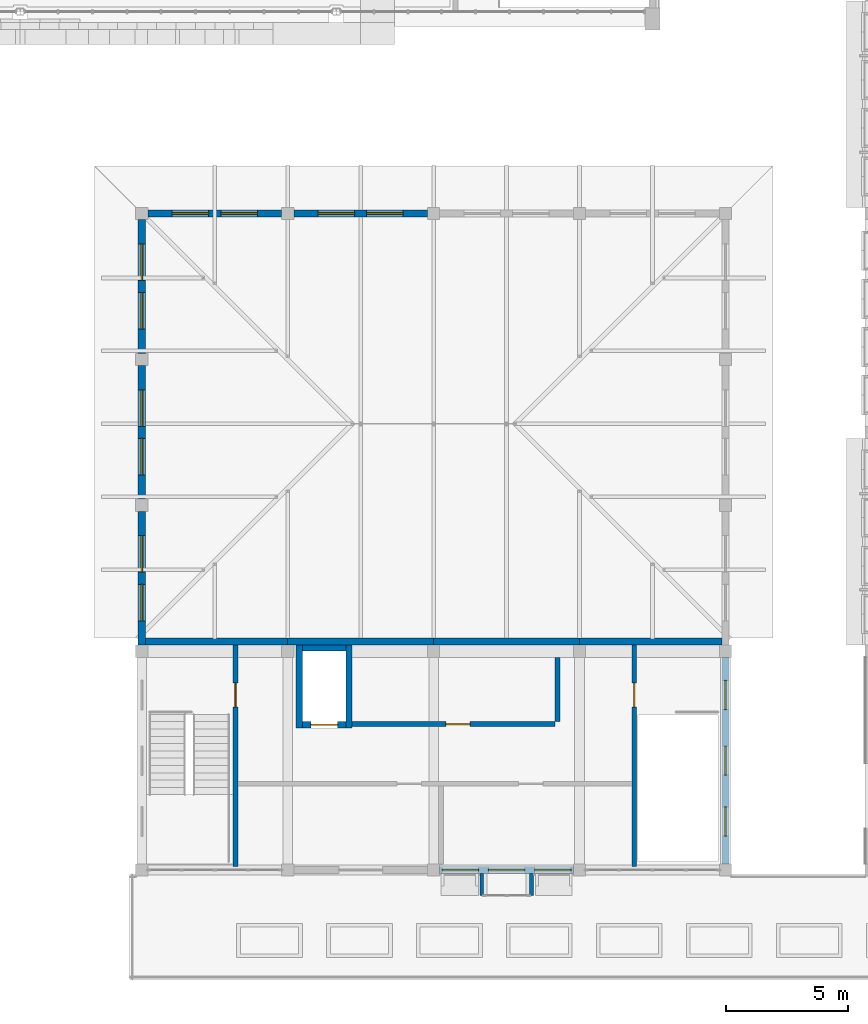
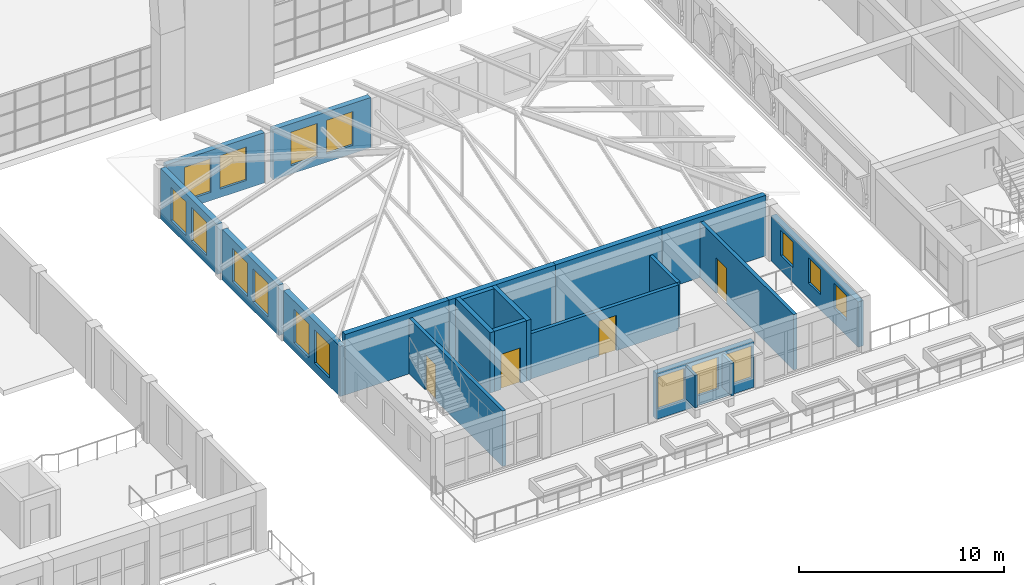
# One storey, part 43 of 82: 21 walls, 16 windows, 4 doors, 20 openings.
"""IFC4 building model written with IfcOpenShell, lengths in metres."""

from ifc_helpers import new_model, si_unit, direction, frame, frame_2d, origin, place, context, subcontext, project, spatial, rectangle, extrude, material, layer, layer_set, type_object, element, fill, save


model = new_model("IFC4")

# Units and contexts
model_context = context("Model", 3, precision=1e-05, world=origin(), true_north=direction((0.0, 1.0)))
body_context = subcontext(model_context, "Body", "Model", "MODEL_VIEW")
ifc_project = project(units=[si_unit("LENGTHUNIT", "METRE"), si_unit("AREAUNIT", "SQUARE_METRE"), si_unit("VOLUMEUNIT", "CUBIC_METRE"), si_unit("PLANEANGLEUNIT", "RADIAN"), si_unit("MASSUNIT", "GRAM", prefix="KILO")], contexts=[model_context])

# Site, building, storey
site_placement = place(None, origin())
site = spatial("IfcSite", under=ifc_project, at=site_placement, CompositionType="ELEMENT")
building_placement = place(site_placement, origin())
building = spatial("IfcBuilding", under=site, at=building_placement, Name="Elbe Cascade School", CompositionType="ELEMENT")
storey_placement = place(building_placement, frame((0.0, 0.0, 4.5)))
storey = spatial("IfcBuildingStorey", under=building, at=storey_placement, Name="L01", CompositionType="ELEMENT", Elevation=4.5)

# Walls
ifc_material_1 = material(Name="Sandstone - red", Category="masonry")
ifc_layer_1 = layer(ifc_material_1, 0.14990234375)
ifc_layer_set_1 = layer_set([ifc_layer_1], Name="Sandstone - red")
wall_type_1 = type_object("IfcWallType", Name="Cafe jharokha cheek wall 150", PredefinedType="SOLIDWALL", material=ifc_layer_set_1)
for number, where, z_axis, x_axis, name in (
    (1, (52.97509765625, 4.949951171875, 0.64990234375), (0.0, 0.0, 1.0), (0.0, 1.0, 0.0), "Cafe jharokha cheek wall 150 W33"),
    (2, (55.02490234375, 4.949951171875, 0.64990234375), (0.0, 0.0, 1.0), (0.0, 1.0, 0.0), "Cafe jharokha cheek wall 150 W33"),
):
    element("IfcWall", number, at=place(storey_placement, frame(where, z_axis=z_axis, x_axis=x_axis)), inside=storey, type_object=wall_type_1, Name=name, PredefinedType="SOLIDWALL", context=body_context, shape_type="SweptSolid", body=[
        extrude(rectangle(XDim=0.900146484375, YDim=0.14990234375, at=frame_2d((0.4501953125, 0.0))), origin(), (0.0, 0.0, 1.0), 1.9501953125),
    ])
ifc_material_2 = material(Name="Concrete C30/37", Category="concrete")
ifc_layer_2 = layer(ifc_material_2, 0.25)
ifc_layer_set_2 = layer_set([ifc_layer_2], Name="Concrete C30/37")
wall_type_2 = type_object("IfcWallType", Name="Cafe lift shaft wall 250", PredefinedType="SHEAR", material=ifc_layer_set_2)
for number, where, z_axis, x_axis, name in (
    (3, (45.47509765625, 11.85009765625, 0.0), (0.0, 0.0, 1.0), (0.0, 1.0, 0.0), "Cafe lift shaft wall 250 W13"),
    (4, (47.52490234375, 11.85009765625, 0.0), (0.0, 0.0, 1.0), (0.0, 1.0, 0.0), "Cafe lift shaft wall 250 W13"),
):
    element("IfcWall", number, at=place(storey_placement, frame(where, z_axis=z_axis, x_axis=x_axis)), inside=storey, type_object=wall_type_2, Name=name, PredefinedType="SHEAR", context=body_context, shape_type="SweptSolid", body=[
        extrude(rectangle(XDim=3.39990234375, YDim=0.25, at=frame_2d((1.699951171875, 0.0))), origin(), (0.0, 0.0, 1.0), 3.60009765625),
    ])

# Wall, opening, door
wall_1_placement = place(storey_placement, frame((45.60009765625, 11.97509765625, 0.0), z_axis=(0.0, 0.0, 1.0), x_axis=(1.0, 0.0, 0.0)))
wall_1 = element("IfcWall", 5, at=wall_1_placement, inside=storey, type_object=wall_type_2, Name="Cafe lift shaft wall 250 W13", PredefinedType="SHEAR", context=body_context, shape_type="SweptSolid", body=[
    extrude(rectangle(XDim=1.7998046875, YDim=0.25, at=frame_2d((0.89990234375, 0.0))), origin(), (0.0, 0.0, 1.0), 3.60009765625),
])
opening_1_placement = place(wall_1_placement, frame((0.35009765625, 0.0, 0.0)))
opening_1 = element("IfcOpeningElement", 6, at=opening_1_placement, cuts=wall_1, Name="Opening D1.118", PredefinedType="OPENING", context=body_context, shape_type="SweptSolid", body=[
    extrude(rectangle(XDim=1.10009765625, YDim=2.10009765625, at=frame_2d((0.550048828125, 1.050048828125))), frame((0.0, 0.135009765625, 0.0), z_axis=(0.0, -1.0, 0.0), x_axis=(1.0, 0.0, 0.0)), (0.0, 0.0, 1.0), 0.27001953125),
])
ifc_material_3 = material(Name="Steel - fire door leaf", Category="steel")
door_type_1 = type_object("IfcDoorType", Name="Cafe lift landing door 1100x2100 slide FD60", OperationType="SLIDING_TO_LEFT", PredefinedType="NOTDEFINED", material=ifc_material_3)
door_1_placement = place(opening_1_placement, origin())
door_1 = element("IfcDoor", 7, at=door_1_placement, inside=storey, type_object=door_type_1, Name="Cafe lift landing door 1100x2100 slide FD60 D1.118", OperationType="SLIDING_TO_LEFT", OverallHeight=2.10009765625, OverallWidth=1.10009765625, PredefinedType="NOTDEFINED", context=body_context, shape_type="SweptSolid", body=[
    extrude(rectangle(XDim=1.10009765625, YDim=2.10009765625, at=frame_2d((0.550048828125, 1.050048828125))), frame((0.0, 0.02490234375, 0.0), z_axis=(0.0, -1.0, 0.0), x_axis=(1.0, 0.0, 0.0)), (0.0, 0.0, 1.0), 0.050048828125),
])
fill(opening_1, door_1)

# Wall
wall_2_placement = place(storey_placement, frame((45.60009765625, 15.125, 0.0), z_axis=(0.0, 0.0, 1.0), x_axis=(1.0, 0.0, 0.0)))
element("IfcWall", 8, at=wall_2_placement, inside=storey, type_object=wall_type_2, Name="Cafe lift shaft wall 250 W13", PredefinedType="SHEAR", context=body_context, shape_type="SweptSolid", body=[
    extrude(rectangle(XDim=1.7998046875, YDim=0.25, at=frame_2d((0.89990234375, 0.0))), origin(), (0.0, 0.0, 1.0), 3.60009765625),
])

# Wall, opening, door
ifc_material_4 = material(Name="Masonry - rendered blockwork", Category="masonry")
ifc_layer_3 = layer(ifc_material_4, 0.199951171875)
ifc_layer_set_3 = layer_set([ifc_layer_3], Name="Masonry - rendered blockwork")
wall_type_3 = type_object("IfcWallType", Name="Cafe partition wall 200", PredefinedType="PARTITIONING", material=ifc_layer_set_3)
wall_3_placement = place(storey_placement, frame((47.64990234375, 12.0, 0.0), z_axis=(0.0, 0.0, 1.0), x_axis=(1.0, 0.0, 0.0)))
wall_3 = element("IfcWall", 9, at=wall_3_placement, inside=storey, type_object=wall_type_3, Name="Cafe partition wall 200 W40", PredefinedType="PARTITIONING", context=body_context, shape_type="SweptSolid", body=[
    extrude(rectangle(XDim=8.35009765625, YDim=0.199951171875, at=frame_2d((4.175048828125, 0.0))), origin(), (0.0, 0.0, 1.0), 2.699951171875),
])
opening_2_placement = place(wall_3_placement, frame((3.85009765625, 0.0, 0.0)))
opening_2 = element("IfcOpeningElement", 10, at=opening_2_placement, cuts=wall_3, Name="Opening D1.119", PredefinedType="OPENING", context=body_context, shape_type="SweptSolid", body=[
    extrude(rectangle(XDim=1.0, YDim=2.10009765625, at=frame_2d((0.5, 1.050048828125))), frame((0.0, 0.10986328125, 0.0), z_axis=(0.0, -1.0, 0.0), x_axis=(1.0, 0.0, 0.0)), (0.0, 0.0, 1.0), 0.219970703125),
])
ifc_material_5 = material(Name="Timber - oak door leaf", Category="wood")
door_type_2 = type_object("IfcDoorType", Name="Cafe community room door 1000x2100 swing NOT RATED", OperationType="NOTDEFINED", PredefinedType="NOTDEFINED", material=ifc_material_5)
door_2_placement = place(opening_2_placement, origin())
door_2 = element("IfcDoor", 11, at=door_2_placement, inside=storey, type_object=door_type_2, Name="Cafe community room door 1000x2100 swing NOT RATED D1.119", OperationType="SINGLE_SWING_LEFT", OverallHeight=2.10009765625, OverallWidth=1.0, PredefinedType="NOTDEFINED", context=body_context, shape_type="SweptSolid", body=[
    extrude(rectangle(XDim=1.0, YDim=2.10009765625, at=frame_2d((0.5, 1.050048828125))), frame((0.0, 0.02490234375, 0.0), z_axis=(0.0, -1.0, 0.0), x_axis=(1.0, 0.0, 0.0)), (0.0, 0.0, 1.0), 0.050048828125),
])
fill(opening_2, door_2)

# Wall
wall_4_placement = place(storey_placement, frame((56.10009765625, 12.10009765625, 0.0), z_axis=(0.0, 0.0, 1.0), x_axis=(0.0, 1.0, 0.0)))
element("IfcWall", 12, at=wall_4_placement, inside=storey, type_object=wall_type_3, Name="Cafe partition wall 200 W40", PredefinedType="PARTITIONING", context=body_context, shape_type="SweptSolid", body=[
    extrude(rectangle(XDim=2.64990234375, YDim=0.199951171875, at=frame_2d((1.324951171875, 0.0))), origin(), (0.0, 0.0, 1.0), 2.699951171875),
])

# Wall, opening, door
ifc_material_6 = material(Name="Concrete C30/37", Category="concrete")
ifc_layer_4 = layer(ifc_material_6, 0.199951171875)
ifc_layer_set_4 = layer_set([ifc_layer_4], Name="Concrete C30/37")
wall_type_4 = type_object("IfcWallType", Name="Cafe stair enclosure wall 200", PredefinedType="SOLIDWALL", material=ifc_layer_set_4)
wall_5_placement = place(storey_placement, frame((42.85009765625, 6.14990234375, 0.0), z_axis=(0.0, 0.0, 1.0), x_axis=(0.0, 1.0, 0.0)))
wall_5 = element("IfcWall", 13, at=wall_5_placement, inside=storey, type_object=wall_type_4, Name="Cafe stair enclosure wall 200 W39", PredefinedType="SOLIDWALL", context=body_context, shape_type="SweptSolid", body=[
    extrude(rectangle(XDim=9.10009765625, YDim=0.199951171875, at=frame_2d((4.550048828125, 0.0))), origin(), (0.0, 0.0, 1.0), 3.300048828125),
])
opening_3_placement = place(wall_5_placement, frame((6.550048828125, 0.0, 0.0)))
opening_3 = element("IfcOpeningElement", 14, at=opening_3_placement, cuts=wall_5, Name="Opening D1.120", PredefinedType="OPENING", context=body_context, shape_type="SweptSolid", body=[
    extrude(rectangle(XDim=1.0, YDim=2.10009765625, at=frame_2d((0.5, 1.050048828125))), frame((0.0, 0.10986328125, 0.0), z_axis=(0.0, -1.0, 0.0), x_axis=(1.0, 0.0, 0.0)), (0.0, 0.0, 1.0), 0.219970703125),
])
ifc_material_7 = material(Name="Steel - fire door leaf", Category="steel")
door_type_3 = type_object("IfcDoorType", Name="Cafe stair door 1000x2100 swing FD30S", OperationType="NOTDEFINED", PredefinedType="NOTDEFINED", material=ifc_material_7)
door_3_placement = place(opening_3_placement, origin())
door_3 = element("IfcDoor", 15, at=door_3_placement, inside=storey, type_object=door_type_3, Name="Cafe stair door 1000x2100 swing FD30S D1.120", OperationType="SINGLE_SWING_RIGHT", OverallHeight=2.10009765625, OverallWidth=1.0, PredefinedType="NOTDEFINED", context=body_context, shape_type="SweptSolid", body=[
    extrude(rectangle(XDim=1.0, YDim=2.10009765625, at=frame_2d((0.5, 1.050048828125))), frame((0.0, 0.02490234375, 0.0), z_axis=(0.0, -1.0, 0.0), x_axis=(1.0, 0.0, 0.0)), (0.0, 0.0, 1.0), 0.050048828125),
])
fill(opening_3, door_3)

wall_6_placement = place(storey_placement, frame((59.25, 6.14990234375, 0.0), z_axis=(0.0, 0.0, 1.0), x_axis=(0.0, 1.0, 0.0)))
wall_6 = element("IfcWall", 16, at=wall_6_placement, inside=storey, type_object=wall_type_4, Name="Cafe stair enclosure wall 200 W39", PredefinedType="SOLIDWALL", context=body_context, shape_type="SweptSolid", body=[
    extrude(rectangle(XDim=9.10009765625, YDim=0.199951171875, at=frame_2d((4.550048828125, 0.0))), origin(), (0.0, 0.0, 1.0), 3.300048828125),
])
opening_4_placement = place(wall_6_placement, frame((6.550048828125, 0.0, 0.0)))
opening_4 = element("IfcOpeningElement", 17, at=opening_4_placement, cuts=wall_6, Name="Opening D1.121", PredefinedType="OPENING", context=body_context, shape_type="SweptSolid", body=[
    extrude(rectangle(XDim=1.0, YDim=2.10009765625, at=frame_2d((0.5, 1.050048828125))), frame((0.0, 0.10986328125, 0.0), z_axis=(0.0, -1.0, 0.0), x_axis=(1.0, 0.0, 0.0)), (0.0, 0.0, 1.0), 0.219970703125),
])
door_4_placement = place(opening_4_placement, origin())
door_4 = element("IfcDoor", 18, at=door_4_placement, inside=storey, type_object=door_type_3, Name="Cafe stair door 1000x2100 swing FD30S D1.121", OperationType="SINGLE_SWING_LEFT", OverallHeight=2.10009765625, OverallWidth=1.0, PredefinedType="NOTDEFINED", context=body_context, shape_type="SweptSolid", body=[
    extrude(rectangle(XDim=1.0, YDim=2.10009765625, at=frame_2d((0.5, 1.050048828125))), frame((0.0, 0.02490234375, 0.0), z_axis=(0.0, -1.0, 0.0), x_axis=(1.0, 0.0, 0.0)), (0.0, 0.0, 1.0), 0.050048828125),
])
fill(opening_4, door_4)

# Wall, openings, windows
ifc_material_8 = material(Name="Concrete C30/37", Category="concrete")
ifc_layer_5 = layer(ifc_material_8, 0.300048828125)
ifc_layer_set_5 = layer_set([ifc_layer_5], Name="Concrete C30/37")
wall_type_5 = type_object("IfcWallType", Name="Cafe wing RC wall 300", PredefinedType="SOLIDWALL", material=ifc_layer_set_5)
wall_7_placement = place(storey_placement, frame((56.75, 6.0, 0.0), z_axis=(0.0, 0.0, 1.0), x_axis=(-1.0, 0.0, 0.0)))
wall_7 = element("IfcWall", 19, at=wall_7_placement, inside=storey, type_object=wall_type_5, Name="Cafe wing RC wall 300 W10", PredefinedType="SOLIDWALL", context=body_context, shape_type="SweptSolid", body=[
    extrude(rectangle(XDim=5.5, YDim=0.300048828125, at=frame_2d((2.75, 0.0))), origin(), (0.0, 0.0, 1.0), 2.75),
])
opening_5_placement = place(wall_7_placement, frame((3.89990234375, 0.0, 0.60009765625)))
opening_5 = element("IfcOpeningElement", 20, at=opening_5_placement, cuts=wall_7, Name="Opening W1.153", PredefinedType="OPENING", context=body_context, shape_type="SweptSolid", body=[
    extrude(rectangle(XDim=1.5, YDim=1.89990234375, at=frame_2d((0.75, 0.949951171875))), frame((0.0, 0.159912109375, 0.0), z_axis=(0.0, -1.0, 0.0), x_axis=(1.0, 0.0, 0.0)), (0.0, 0.0, 1.0), 0.320068359375),
])
opening_6_placement = place(wall_7_placement, frame((2.0, 0.0, 0.60009765625)))
opening_6 = element("IfcOpeningElement", 21, at=opening_6_placement, cuts=wall_7, Name="Opening W1.154", PredefinedType="OPENING", context=body_context, shape_type="SweptSolid", body=[
    extrude(rectangle(XDim=1.5, YDim=1.89990234375, at=frame_2d((0.75, 0.949951171875))), frame((0.0, 0.159912109375, 0.0), z_axis=(0.0, -1.0, 0.0), x_axis=(1.0, 0.0, 0.0)), (0.0, 0.0, 1.0), 0.320068359375),
])
opening_7_placement = place(wall_7_placement, frame((0.10009765625, 0.0, 0.60009765625)))
opening_7 = element("IfcOpeningElement", 22, at=opening_7_placement, cuts=wall_7, Name="Opening W1.155", PredefinedType="OPENING", context=body_context, shape_type="SweptSolid", body=[
    extrude(rectangle(XDim=1.5, YDim=1.89990234375, at=frame_2d((0.75, 0.949951171875))), frame((0.0, 0.159912109375, 0.0), z_axis=(0.0, -1.0, 0.0), x_axis=(1.0, 0.0, 0.0)), (0.0, 0.0, 1.0), 0.320068359375),
])
ifc_material_9 = material(Name="Aluminium - bronze anodised", Category="aluminium")
window_type_1 = type_object("IfcWindowType", Name="Cafe community room window 1500x1900 sill 600", PartitioningType="SINGLE_PANEL", PredefinedType="WINDOW", material=ifc_material_9)
window_1_placement = place(opening_5_placement, origin())
window_1 = element("IfcWindow", 23, at=window_1_placement, inside=storey, type_object=window_type_1, Name="Cafe community room window 1500x1900 sill 600 W1.153", OverallHeight=1.89990234375, OverallWidth=1.5, PartitioningType="SINGLE_PANEL", PredefinedType="WINDOW", context=body_context, shape_type="SweptSolid", body=[
    extrude(rectangle(XDim=1.5, YDim=1.89990234375, at=frame_2d((0.75, 0.949951171875))), frame((0.0, 0.030029296875, 0.0), z_axis=(0.0, -1.0, 0.0), x_axis=(1.0, 0.0, 0.0)), (0.0, 0.0, 1.0), 0.06005859375),
])
fill(opening_5, window_1)
window_2_placement = place(opening_6_placement, origin())
window_2 = element("IfcWindow", 24, at=window_2_placement, inside=storey, type_object=window_type_1, Name="Cafe community room window 1500x1900 sill 600 W1.154", OverallHeight=1.89990234375, OverallWidth=1.5, PartitioningType="SINGLE_PANEL", PredefinedType="WINDOW", context=body_context, shape_type="SweptSolid", body=[
    extrude(rectangle(XDim=1.5, YDim=1.89990234375, at=frame_2d((0.75, 0.949951171875))), frame((0.0, 0.030029296875, 0.0), z_axis=(0.0, -1.0, 0.0), x_axis=(1.0, 0.0, 0.0)), (0.0, 0.0, 1.0), 0.06005859375),
])
fill(opening_6, window_2)
window_3_placement = place(opening_7_placement, origin())
window_3 = element("IfcWindow", 25, at=window_3_placement, inside=storey, type_object=window_type_1, Name="Cafe community room window 1500x1900 sill 600 W1.155", OverallHeight=1.89990234375, OverallWidth=1.5, PartitioningType="SINGLE_PANEL", PredefinedType="WINDOW", context=body_context, shape_type="SweptSolid", body=[
    extrude(rectangle(XDim=1.5, YDim=1.89990234375, at=frame_2d((0.75, 0.949951171875))), frame((0.0, 0.030029296875, 0.0), z_axis=(0.0, -1.0, 0.0), x_axis=(1.0, 0.0, 0.0)), (0.0, 0.0, 1.0), 0.06005859375),
])
fill(opening_7, window_3)

wall_8_placement = place(storey_placement, frame((63.0, 14.75, 0.0), z_axis=(0.0, 0.0, 1.0), x_axis=(0.0, -1.0, 0.0)))
wall_8 = element("IfcWall", 26, at=wall_8_placement, inside=storey, type_object=wall_type_5, Name="Cafe wing RC wall 300 W10", PredefinedType="SOLIDWALL", context=body_context, shape_type="SweptSolid", body=[
    extrude(rectangle(XDim=8.5, YDim=0.300048828125, at=frame_2d((4.25, 0.0))), origin(), (0.0, 0.0, 1.0), 2.699951171875),
])
opening_8_placement = place(wall_8_placement, frame((6.14990234375, 0.0, 0.89990234375)))
opening_8 = element("IfcOpeningElement", 27, at=opening_8_placement, cuts=wall_8, Name="Opening W1.157", PredefinedType="OPENING", context=body_context, shape_type="SweptSolid", body=[
    extrude(rectangle(XDim=1.199951171875, YDim=1.5, at=frame_2d((0.60009765625, 0.75))), frame((0.0, 0.159912109375, 0.0), z_axis=(0.0, -1.0, 0.0), x_axis=(1.0, 0.0, 0.0)), (0.0, 0.0, 1.0), 0.320068359375),
])
opening_9_placement = place(wall_8_placement, frame((3.64990234375, 0.0, 0.89990234375)))
opening_9 = element("IfcOpeningElement", 28, at=opening_9_placement, cuts=wall_8, Name="Opening W1.159", PredefinedType="OPENING", context=body_context, shape_type="SweptSolid", body=[
    extrude(rectangle(XDim=1.199951171875, YDim=1.5, at=frame_2d((0.60009765625, 0.75))), frame((0.0, 0.159912109375, 0.0), z_axis=(0.0, -1.0, 0.0), x_axis=(1.0, 0.0, 0.0)), (0.0, 0.0, 1.0), 0.320068359375),
])
opening_10_placement = place(wall_8_placement, frame((0.949951171875, 0.0, 0.89990234375)))
opening_10 = element("IfcOpeningElement", 29, at=opening_10_placement, cuts=wall_8, Name="Opening W1.161", PredefinedType="OPENING", context=body_context, shape_type="SweptSolid", body=[
    extrude(rectangle(XDim=1.199951171875, YDim=1.5, at=frame_2d((0.60009765625, 0.75))), frame((0.0, 0.159912109375, 0.0), z_axis=(0.0, -1.0, 0.0), x_axis=(1.0, 0.0, 0.0)), (0.0, 0.0, 1.0), 0.320068359375),
])
ifc_material_10 = material(Name="Aluminium - bronze anodised", Category="aluminium")
window_type_2 = type_object("IfcWindowType", Name="Cafe wing small window 1200x1500 sill 900", PartitioningType="SINGLE_PANEL", PredefinedType="WINDOW", material=ifc_material_10)
window_4_placement = place(opening_8_placement, origin())
window_4 = element("IfcWindow", 30, at=window_4_placement, inside=storey, type_object=window_type_2, Name="Cafe wing small window 1200x1500 sill 900 W1.157", OverallHeight=1.5, OverallWidth=1.199951171875, PartitioningType="SINGLE_PANEL", PredefinedType="WINDOW", context=body_context, shape_type="SweptSolid", body=[
    extrude(rectangle(XDim=1.199951171875, YDim=1.5, at=frame_2d((0.60009765625, 0.75))), frame((0.0, 0.030029296875, 0.0), z_axis=(0.0, -1.0, 0.0), x_axis=(1.0, 0.0, 0.0)), (0.0, 0.0, 1.0), 0.06005859375),
])
fill(opening_8, window_4)
window_5_placement = place(opening_9_placement, origin())
window_5 = element("IfcWindow", 31, at=window_5_placement, inside=storey, type_object=window_type_2, Name="Cafe wing small window 1200x1500 sill 900 W1.159", OverallHeight=1.5, OverallWidth=1.199951171875, PartitioningType="SINGLE_PANEL", PredefinedType="WINDOW", context=body_context, shape_type="SweptSolid", body=[
    extrude(rectangle(XDim=1.199951171875, YDim=1.5, at=frame_2d((0.60009765625, 0.75))), frame((0.0, 0.030029296875, 0.0), z_axis=(0.0, -1.0, 0.0), x_axis=(1.0, 0.0, 0.0)), (0.0, 0.0, 1.0), 0.06005859375),
])
fill(opening_9, window_5)
window_6_placement = place(opening_10_placement, origin())
window_6 = element("IfcWindow", 32, at=window_6_placement, inside=storey, type_object=window_type_2, Name="Cafe wing small window 1200x1500 sill 900 W1.161", OverallHeight=1.5, OverallWidth=1.199951171875, PartitioningType="SINGLE_PANEL", PredefinedType="WINDOW", context=body_context, shape_type="SweptSolid", body=[
    extrude(rectangle(XDim=1.199951171875, YDim=1.5, at=frame_2d((0.60009765625, 0.75))), frame((0.0, 0.030029296875, 0.0), z_axis=(0.0, -1.0, 0.0), x_axis=(1.0, 0.0, 0.0)), (0.0, 0.0, 1.0), 0.06005859375),
])
fill(opening_10, window_6)

# Walls
ifc_material_11 = material(Name="Concrete C30/37", Category="concrete")
ifc_layer_6 = layer(ifc_material_11, 0.300048828125)
ifc_layer_set_6 = layer_set([ifc_layer_6], Name="Concrete C30/37")
wall_type_6 = type_object("IfcWallType", Name="Dining hall RC wall 300", PredefinedType="SOLIDWALL", material=ifc_layer_set_6)
wall_9_placement = place(storey_placement, frame((45.0, 15.39990234375, 0.0), z_axis=(0.0, 0.0, 1.0), x_axis=(-1.0, 0.0, 0.0)))
element("IfcWall", 33, at=wall_9_placement, inside=storey, type_object=wall_type_6, Name="Dining hall RC wall 300 W11", PredefinedType="SOLIDWALL", context=body_context, shape_type="SweptSolid", body=[
    extrude(rectangle(XDim=5.85009765625, YDim=0.300048828125, at=frame_2d((2.925048828125, 0.0))), origin(), (0.0, 0.0, 1.0), 3.60009765625),
])
for number, where, z_axis, x_axis, name in (
    (34, (51.0, 15.39990234375, 0.0), (0.0, 0.0, 1.0), (-1.0, 0.0, 0.0), "Dining hall RC wall 300 W11"),
    (35, (57.0, 15.39990234375, 0.0), (0.0, 0.0, 1.0), (-1.0, 0.0, 0.0), "Dining hall RC wall 300 W11"),
):
    element("IfcWall", number, at=place(storey_placement, frame(where, z_axis=z_axis, x_axis=x_axis)), inside=storey, type_object=wall_type_6, Name=name, PredefinedType="SOLIDWALL", context=body_context, shape_type="SweptSolid", body=[
        extrude(rectangle(XDim=6.0, YDim=0.300048828125, at=frame_2d((3.0, 0.0))), origin(), (0.0, 0.0, 1.0), 3.60009765625),
    ])
wall_10_placement = place(storey_placement, frame((62.85009765625, 15.39990234375, 0.0), z_axis=(0.0, 0.0, 1.0), x_axis=(-1.0, 0.0, 0.0)))
element("IfcWall", 36, at=wall_10_placement, inside=storey, type_object=wall_type_6, Name="Dining hall RC wall 300 W11", PredefinedType="SOLIDWALL", context=body_context, shape_type="SweptSolid", body=[
    extrude(rectangle(XDim=5.85009765625, YDim=0.300048828125, at=frame_2d((2.925048828125, 0.0))), origin(), (0.0, 0.0, 1.0), 3.60009765625),
])

# Wall, openings, windows
wall_11_placement = place(storey_placement, frame((39.0, 15.25, 0.0), z_axis=(0.0, 0.0, 1.0), x_axis=(0.0, 1.0, 0.0)))
wall_11 = element("IfcWall", 37, at=wall_11_placement, inside=storey, type_object=wall_type_6, Name="Dining hall RC wall 300 W11", PredefinedType="SOLIDWALL", context=body_context, shape_type="SweptSolid", body=[
    extrude(rectangle(XDim=5.5, YDim=0.300048828125, at=frame_2d((2.75, 0.0))), origin(), (0.0, 0.0, 1.0), 2.992919921875),
])
opening_11_placement = place(wall_11_placement, frame((1.0, 0.0, 0.5)))
opening_11 = element("IfcOpeningElement", 38, at=opening_11_placement, cuts=wall_11, Name="Opening W1.162", PredefinedType="OPENING", context=body_context, shape_type="SweptSolid", body=[
    extrude(rectangle(XDim=1.5, YDim=2.0, at=frame_2d((0.75, 1.0))), frame((0.0, 0.159912109375, 0.0), z_axis=(0.0, -1.0, 0.0), x_axis=(1.0, 0.0, 0.0)), (0.0, 0.0, 1.0), 0.320068359375),
])
opening_12_placement = place(wall_11_placement, frame((3.0, 0.0, 0.5)))
opening_12 = element("IfcOpeningElement", 39, at=opening_12_placement, cuts=wall_11, Name="Opening W1.164", PredefinedType="OPENING", context=body_context, shape_type="SweptSolid", body=[
    extrude(rectangle(XDim=1.5, YDim=2.0, at=frame_2d((0.75, 1.0))), frame((0.0, 0.159912109375, 0.0), z_axis=(0.0, -1.0, 0.0), x_axis=(1.0, 0.0, 0.0)), (0.0, 0.0, 1.0), 0.320068359375),
])
ifc_material_12 = material(Name="Aluminium - bronze anodised", Category="aluminium")
window_type_3 = type_object("IfcWindowType", Name="Dining hall clerestory window 1500x2000 sill 500", PartitioningType="SINGLE_PANEL", PredefinedType="WINDOW", material=ifc_material_12)
window_7_placement = place(opening_11_placement, origin())
window_7 = element("IfcWindow", 40, at=window_7_placement, inside=storey, type_object=window_type_3, Name="Dining hall clerestory window 1500x2000 sill 500 W1.162", OverallHeight=2.0, OverallWidth=1.5, PartitioningType="SINGLE_PANEL", PredefinedType="WINDOW", context=body_context, shape_type="SweptSolid", body=[
    extrude(rectangle(XDim=1.5, YDim=2.0, at=frame_2d((0.75, 1.0))), frame((0.0, 0.030029296875, 0.0), z_axis=(0.0, -1.0, 0.0), x_axis=(1.0, 0.0, 0.0)), (0.0, 0.0, 1.0), 0.06005859375),
])
fill(opening_11, window_7)
window_8_placement = place(opening_12_placement, origin())
window_8 = element("IfcWindow", 41, at=window_8_placement, inside=storey, type_object=window_type_3, Name="Dining hall clerestory window 1500x2000 sill 500 W1.164", OverallHeight=2.0, OverallWidth=1.5, PartitioningType="SINGLE_PANEL", PredefinedType="WINDOW", context=body_context, shape_type="SweptSolid", body=[
    extrude(rectangle(XDim=1.5, YDim=2.0, at=frame_2d((0.75, 1.0))), frame((0.0, 0.030029296875, 0.0), z_axis=(0.0, -1.0, 0.0), x_axis=(1.0, 0.0, 0.0)), (0.0, 0.0, 1.0), 0.06005859375),
])
fill(opening_12, window_8)

wall_12_placement = place(storey_placement, frame((39.0, 21.25, 0.0), z_axis=(0.0, 0.0, 1.0), x_axis=(0.0, 1.0, 0.0)))
wall_12 = element("IfcWall", 42, at=wall_12_placement, inside=storey, type_object=wall_type_6, Name="Dining hall RC wall 300 W11", PredefinedType="SOLIDWALL", context=body_context, shape_type="SweptSolid", body=[
    extrude(rectangle(XDim=5.5, YDim=0.300048828125, at=frame_2d((2.75, 0.0))), origin(), (0.0, 0.0, 1.0), 2.992919921875),
])
opening_13_placement = place(wall_12_placement, frame((1.0, 0.0, 0.5)))
opening_13 = element("IfcOpeningElement", 43, at=opening_13_placement, cuts=wall_12, Name="Opening W1.166", PredefinedType="OPENING", context=body_context, shape_type="SweptSolid", body=[
    extrude(rectangle(XDim=1.5, YDim=2.0, at=frame_2d((0.75, 1.0))), frame((0.0, 0.159912109375, 0.0), z_axis=(0.0, -1.0, 0.0), x_axis=(1.0, 0.0, 0.0)), (0.0, 0.0, 1.0), 0.320068359375),
])
opening_14_placement = place(wall_12_placement, frame((3.0, 0.0, 0.5)))
opening_14 = element("IfcOpeningElement", 44, at=opening_14_placement, cuts=wall_12, Name="Opening W1.168", PredefinedType="OPENING", context=body_context, shape_type="SweptSolid", body=[
    extrude(rectangle(XDim=1.5, YDim=2.0, at=frame_2d((0.75, 1.0))), frame((0.0, 0.159912109375, 0.0), z_axis=(0.0, -1.0, 0.0), x_axis=(1.0, 0.0, 0.0)), (0.0, 0.0, 1.0), 0.320068359375),
])
window_9_placement = place(opening_13_placement, origin())
window_9 = element("IfcWindow", 45, at=window_9_placement, inside=storey, type_object=window_type_3, Name="Dining hall clerestory window 1500x2000 sill 500 W1.166", OverallHeight=2.0, OverallWidth=1.5, PartitioningType="SINGLE_PANEL", PredefinedType="WINDOW", context=body_context, shape_type="SweptSolid", body=[
    extrude(rectangle(XDim=1.5, YDim=2.0, at=frame_2d((0.75, 1.0))), frame((0.0, 0.030029296875, 0.0), z_axis=(0.0, -1.0, 0.0), x_axis=(1.0, 0.0, 0.0)), (0.0, 0.0, 1.0), 0.06005859375),
])
fill(opening_13, window_9)
window_10_placement = place(opening_14_placement, origin())
window_10 = element("IfcWindow", 46, at=window_10_placement, inside=storey, type_object=window_type_3, Name="Dining hall clerestory window 1500x2000 sill 500 W1.168", OverallHeight=2.0, OverallWidth=1.5, PartitioningType="SINGLE_PANEL", PredefinedType="WINDOW", context=body_context, shape_type="SweptSolid", body=[
    extrude(rectangle(XDim=1.5, YDim=2.0, at=frame_2d((0.75, 1.0))), frame((0.0, 0.030029296875, 0.0), z_axis=(0.0, -1.0, 0.0), x_axis=(1.0, 0.0, 0.0)), (0.0, 0.0, 1.0), 0.06005859375),
])
fill(opening_14, window_10)

wall_13_placement = place(storey_placement, frame((39.0, 27.25, 0.0), z_axis=(0.0, 0.0, 1.0), x_axis=(0.0, 1.0, 0.0)))
wall_13 = element("IfcWall", 47, at=wall_13_placement, inside=storey, type_object=wall_type_6, Name="Dining hall RC wall 300 W11", PredefinedType="SOLIDWALL", context=body_context, shape_type="SweptSolid", body=[
    extrude(rectangle(XDim=5.5, YDim=0.300048828125, at=frame_2d((2.75, 0.0))), origin(), (0.0, 0.0, 1.0), 2.992919921875),
])
opening_15_placement = place(wall_13_placement, frame((1.0, 0.0, 0.5)))
opening_15 = element("IfcOpeningElement", 48, at=opening_15_placement, cuts=wall_13, Name="Opening W1.170", PredefinedType="OPENING", context=body_context, shape_type="SweptSolid", body=[
    extrude(rectangle(XDim=1.5, YDim=2.0, at=frame_2d((0.75, 1.0))), frame((0.0, 0.159912109375, 0.0), z_axis=(0.0, -1.0, 0.0), x_axis=(1.0, 0.0, 0.0)), (0.0, 0.0, 1.0), 0.320068359375),
])
opening_16_placement = place(wall_13_placement, frame((3.0, 0.0, 0.5)))
opening_16 = element("IfcOpeningElement", 49, at=opening_16_placement, cuts=wall_13, Name="Opening W1.172", PredefinedType="OPENING", context=body_context, shape_type="SweptSolid", body=[
    extrude(rectangle(XDim=1.5, YDim=2.0, at=frame_2d((0.75, 1.0))), frame((0.0, 0.159912109375, 0.0), z_axis=(0.0, -1.0, 0.0), x_axis=(1.0, 0.0, 0.0)), (0.0, 0.0, 1.0), 0.320068359375),
])
window_11_placement = place(opening_15_placement, origin())
window_11 = element("IfcWindow", 50, at=window_11_placement, inside=storey, type_object=window_type_3, Name="Dining hall clerestory window 1500x2000 sill 500 W1.170", OverallHeight=2.0, OverallWidth=1.5, PartitioningType="SINGLE_PANEL", PredefinedType="WINDOW", context=body_context, shape_type="SweptSolid", body=[
    extrude(rectangle(XDim=1.5, YDim=2.0, at=frame_2d((0.75, 1.0))), frame((0.0, 0.030029296875, 0.0), z_axis=(0.0, -1.0, 0.0), x_axis=(1.0, 0.0, 0.0)), (0.0, 0.0, 1.0), 0.06005859375),
])
fill(opening_15, window_11)
window_12_placement = place(opening_16_placement, origin())
window_12 = element("IfcWindow", 51, at=window_12_placement, inside=storey, type_object=window_type_3, Name="Dining hall clerestory window 1500x2000 sill 500 W1.172", OverallHeight=2.0, OverallWidth=1.5, PartitioningType="SINGLE_PANEL", PredefinedType="WINDOW", context=body_context, shape_type="SweptSolid", body=[
    extrude(rectangle(XDim=1.5, YDim=2.0, at=frame_2d((0.75, 1.0))), frame((0.0, 0.030029296875, 0.0), z_axis=(0.0, -1.0, 0.0), x_axis=(1.0, 0.0, 0.0)), (0.0, 0.0, 1.0), 0.06005859375),
])
fill(opening_16, window_12)

wall_14_placement = place(storey_placement, frame((39.25, 33.0, 0.0), z_axis=(0.0, 0.0, 1.0), x_axis=(1.0, 0.0, 0.0)))
wall_14 = element("IfcWall", 52, at=wall_14_placement, inside=storey, type_object=wall_type_6, Name="Dining hall RC wall 300 W11", PredefinedType="SOLIDWALL", context=body_context, shape_type="SweptSolid", body=[
    extrude(rectangle(XDim=5.5, YDim=0.300048828125, at=frame_2d((2.75, 0.0))), origin(), (0.0, 0.0, 1.0), 2.992919921875),
])
opening_17_placement = place(wall_14_placement, frame((1.0, 0.0, 0.5)))
opening_17 = element("IfcOpeningElement", 53, at=opening_17_placement, cuts=wall_14, Name="Opening W1.174", PredefinedType="OPENING", context=body_context, shape_type="SweptSolid", body=[
    extrude(rectangle(XDim=1.5, YDim=2.0, at=frame_2d((0.75, 1.0))), frame((0.0, 0.159912109375, 0.0), z_axis=(0.0, -1.0, 0.0), x_axis=(1.0, 0.0, 0.0)), (0.0, 0.0, 1.0), 0.320068359375),
])
opening_18_placement = place(wall_14_placement, frame((3.0, 0.0, 0.5)))
opening_18 = element("IfcOpeningElement", 54, at=opening_18_placement, cuts=wall_14, Name="Opening W1.175", PredefinedType="OPENING", context=body_context, shape_type="SweptSolid", body=[
    extrude(rectangle(XDim=1.5, YDim=2.0, at=frame_2d((0.75, 1.0))), frame((0.0, 0.159912109375, 0.0), z_axis=(0.0, -1.0, 0.0), x_axis=(1.0, 0.0, 0.0)), (0.0, 0.0, 1.0), 0.320068359375),
])
window_13_placement = place(opening_17_placement, origin())
window_13 = element("IfcWindow", 55, at=window_13_placement, inside=storey, type_object=window_type_3, Name="Dining hall clerestory window 1500x2000 sill 500 W1.174", OverallHeight=2.0, OverallWidth=1.5, PartitioningType="SINGLE_PANEL", PredefinedType="WINDOW", context=body_context, shape_type="SweptSolid", body=[
    extrude(rectangle(XDim=1.5, YDim=2.0, at=frame_2d((0.75, 1.0))), frame((0.0, 0.030029296875, 0.0), z_axis=(0.0, -1.0, 0.0), x_axis=(1.0, 0.0, 0.0)), (0.0, 0.0, 1.0), 0.06005859375),
])
fill(opening_17, window_13)
window_14_placement = place(opening_18_placement, origin())
window_14 = element("IfcWindow", 56, at=window_14_placement, inside=storey, type_object=window_type_3, Name="Dining hall clerestory window 1500x2000 sill 500 W1.175", OverallHeight=2.0, OverallWidth=1.5, PartitioningType="SINGLE_PANEL", PredefinedType="WINDOW", context=body_context, shape_type="SweptSolid", body=[
    extrude(rectangle(XDim=1.5, YDim=2.0, at=frame_2d((0.75, 1.0))), frame((0.0, 0.030029296875, 0.0), z_axis=(0.0, -1.0, 0.0), x_axis=(1.0, 0.0, 0.0)), (0.0, 0.0, 1.0), 0.06005859375),
])
fill(opening_18, window_14)

wall_15_placement = place(storey_placement, frame((45.25, 33.0, 0.0), z_axis=(0.0, 0.0, 1.0), x_axis=(1.0, 0.0, 0.0)))
wall_15 = element("IfcWall", 57, at=wall_15_placement, inside=storey, type_object=wall_type_6, Name="Dining hall RC wall 300 W11", PredefinedType="SOLIDWALL", context=body_context, shape_type="SweptSolid", body=[
    extrude(rectangle(XDim=5.5, YDim=0.300048828125, at=frame_2d((2.75, 0.0))), origin(), (0.0, 0.0, 1.0), 2.992919921875),
])
opening_19_placement = place(wall_15_placement, frame((1.0, 0.0, 0.5)))
opening_19 = element("IfcOpeningElement", 58, at=opening_19_placement, cuts=wall_15, Name="Opening W1.176", PredefinedType="OPENING", context=body_context, shape_type="SweptSolid", body=[
    extrude(rectangle(XDim=1.5, YDim=2.0, at=frame_2d((0.75, 1.0))), frame((0.0, 0.159912109375, 0.0), z_axis=(0.0, -1.0, 0.0), x_axis=(1.0, 0.0, 0.0)), (0.0, 0.0, 1.0), 0.320068359375),
])
opening_20_placement = place(wall_15_placement, frame((3.0, 0.0, 0.5)))
opening_20 = element("IfcOpeningElement", 59, at=opening_20_placement, cuts=wall_15, Name="Opening W1.177", PredefinedType="OPENING", context=body_context, shape_type="SweptSolid", body=[
    extrude(rectangle(XDim=1.5, YDim=2.0, at=frame_2d((0.75, 1.0))), frame((0.0, 0.159912109375, 0.0), z_axis=(0.0, -1.0, 0.0), x_axis=(1.0, 0.0, 0.0)), (0.0, 0.0, 1.0), 0.320068359375),
])
window_15_placement = place(opening_19_placement, origin())
window_15 = element("IfcWindow", 60, at=window_15_placement, inside=storey, type_object=window_type_3, Name="Dining hall clerestory window 1500x2000 sill 500 W1.176", OverallHeight=2.0, OverallWidth=1.5, PartitioningType="SINGLE_PANEL", PredefinedType="WINDOW", context=body_context, shape_type="SweptSolid", body=[
    extrude(rectangle(XDim=1.5, YDim=2.0, at=frame_2d((0.75, 1.0))), frame((0.0, 0.030029296875, 0.0), z_axis=(0.0, -1.0, 0.0), x_axis=(1.0, 0.0, 0.0)), (0.0, 0.0, 1.0), 0.06005859375),
])
fill(opening_19, window_15)
window_16_placement = place(opening_20_placement, origin())
window_16 = element("IfcWindow", 61, at=window_16_placement, inside=storey, type_object=window_type_3, Name="Dining hall clerestory window 1500x2000 sill 500 W1.177", OverallHeight=2.0, OverallWidth=1.5, PartitioningType="SINGLE_PANEL", PredefinedType="WINDOW", context=body_context, shape_type="SweptSolid", body=[
    extrude(rectangle(XDim=1.5, YDim=2.0, at=frame_2d((0.75, 1.0))), frame((0.0, 0.030029296875, 0.0), z_axis=(0.0, -1.0, 0.0), x_axis=(1.0, 0.0, 0.0)), (0.0, 0.0, 1.0), 0.06005859375),
])
fill(opening_20, window_16)

save(model, "model.ifc")
